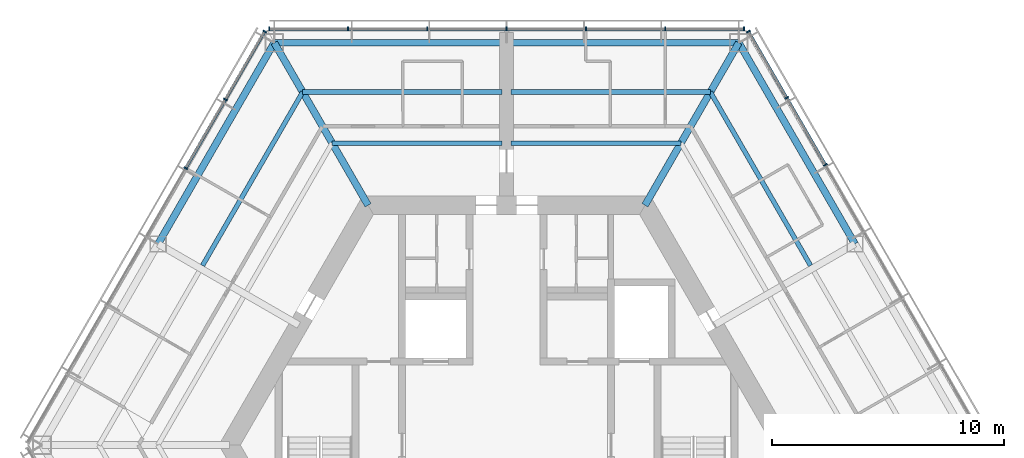
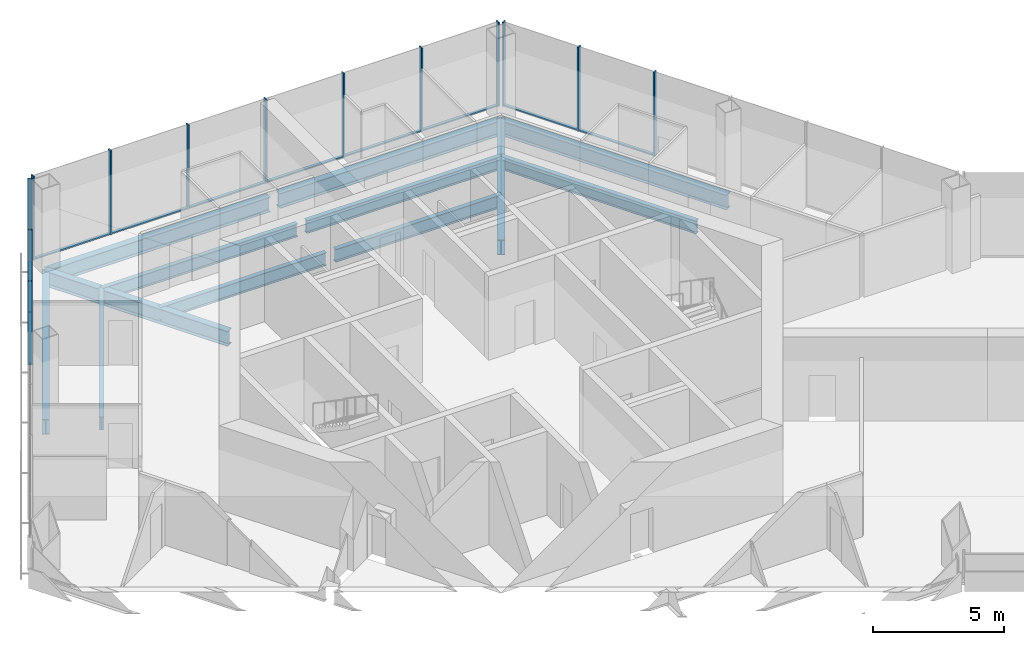
# One storey, part 5 of 13: 23 members, 12 beams, 3 elements without a shape of their own.
"""IFC4 building model written with IfcOpenShell, lengths in metres."""

import ifcopenshell
import ifcopenshell.guid

model = None  # the IFC model being written
_history = None  # IfcOwnerHistory: only IFC2X3 demands one
_inside = {}  # id of a spatial element -> (the spatial element, [elements in it])
_under = {}  # id of a project, library or spatial element -> (it, [spatial elements below it])
_declared = {}  # id of a project -> (the project, [libraries it declares])
_typed = {}  # id of a type object -> (the type object, [elements of that type])
_made_of = {}  # id of a material, layer set ... -> (it, [elements and type objects made of it])


def new_model(schema):
    """Start an empty IFC model of exactly this schema.

    Asked for "IFC4X3", IfcOpenShell would pick the latest addendum, in which some entities
    have other attributes; the version numbers below select the first issue.
    IFC2X3 requires an IfcOwnerHistory on every rooted entity: one is made here for all.
    """
    global model, _history
    if schema == "IFC4X3":
        model = ifcopenshell.file(schema_version=(4, 3, 0, 0))
    else:
        model = ifcopenshell.file(schema=schema)
    _inside.clear()
    _under.clear()
    _declared.clear()
    _typed.clear()
    _made_of.clear()
    _history = None
    if model.schema == "IFC2X3":
        org = make("IfcOrganization", Name="unknown")
        user = make(
            "IfcPersonAndOrganization",
            ThePerson=make("IfcPerson", FamilyName="unknown"),
            TheOrganization=org,
        )
        app = make(
            "IfcApplication",
            ApplicationDeveloper=org,
            Version="unknown",
            ApplicationFullName="unknown",
            ApplicationIdentifier="unknown",
        )
        _history = make(
            "IfcOwnerHistory",
            OwningUser=user,
            OwningApplication=app,
            ChangeAction="ADDED",
            CreationDate=0,
        )
    return model


def make(cls, **values):
    """One entity of the class cls with the attributes given. An attribute that is None is left unset."""
    return model.create_entity(
        cls, **{name: value for name, value in values.items() if value is not None}
    )


def rooted(cls, **values):
    """An entity with a GlobalId (a new one), such as an element, a storey or a relation."""
    return make(cls, GlobalId=ifcopenshell.guid.new(), OwnerHistory=_history, **values)


def si_unit(unit_type, name, prefix=None):
    """IfcSIUnit, for example si_unit("LENGTHUNIT", "METRE", prefix="MILLI")."""
    return make("IfcSIUnit", UnitType=unit_type, Prefix=prefix, Name=name)


def assignment(units):
    """IfcUnitAssignment: the units of a project."""
    return None if units is None else make("IfcUnitAssignment", Units=units)


def point(xyz):
    """IfcCartesianPoint."""
    return None if xyz is None else make("IfcCartesianPoint", Coordinates=xyz)


def direction(xyz):
    """IfcDirection."""
    return None if xyz is None else make("IfcDirection", DirectionRatios=xyz)


def frame(location, z_axis=None, x_axis=None):
    """IfcAxis2Placement3D, a coordinate frame: its origin and axes. An axis left out is left unset."""
    return make(
        "IfcAxis2Placement3D",
        Location=point(location),
        Axis=direction(z_axis),
        RefDirection=direction(x_axis),
    )


def frame_2d(location, x_axis=None):
    """IfcAxis2Placement2D, a coordinate frame in the plane: its origin and x axis."""
    return make(
        "IfcAxis2Placement2D", Location=point(location), RefDirection=direction(x_axis)
    )


def origin():
    """The frame at (0, 0, 0) with its axes left unset."""
    return frame((0.0, 0.0, 0.0))


def origin_2d():
    """The frame at (0, 0) in the plane with its x axis left unset."""
    return frame_2d((0.0, 0.0))


def place(relative_to, where):
    """IfcLocalPlacement: puts the frame where relative to a parent placement (None: the world)."""
    return make(
        "IfcLocalPlacement", PlacementRelTo=relative_to, RelativePlacement=where
    )


def context(
    kind, dimensions, precision=None, world=None, true_north=None, identifier=None
):
    """IfcGeometricRepresentationContext, for example the 3D "Model" context."""
    return make(
        "IfcGeometricRepresentationContext",
        ContextIdentifier=identifier,
        ContextType=kind,
        CoordinateSpaceDimension=dimensions,
        Precision=precision,
        WorldCoordinateSystem=world,
        TrueNorth=true_north,
    )


def subcontext(parent, identifier, kind, view, scale=None):
    """IfcGeometricRepresentationSubContext, for example "Body" below "Model"."""
    return make(
        "IfcGeometricRepresentationSubContext",
        ContextIdentifier=identifier,
        ContextType=kind,
        ParentContext=parent,
        TargetScale=scale,
        TargetView=view,
    )


def project(units=None, contexts=None):
    """IfcProject with its units and contexts."""
    return rooted(
        "IfcProject",
        Name="project",
        RepresentationContexts=contexts,
        UnitsInContext=assignment(units),
    )


def spatial(cls, under=None, at=None, **own):
    """A site, building, storey or space (cls), placed at a placement, below another one or the project."""
    s = rooted(cls, ObjectPlacement=at, **own)
    if under is not None:
        _under.setdefault(under.id(), (under, []))[1].append(s)
    return s


def profile(cls, at=None, kind="AREA", **sizes):
    """A parametric profile (cls). Its sizes go by their IFC names, for example OverallWidth=200.0."""
    return make(cls, ProfileType=kind, Position=at, **sizes)


def rectangle(**sizes):
    """IfcRectangleProfileDef."""
    return profile("IfcRectangleProfileDef", **sizes)


def i_section(**sizes):
    """IfcIShapeProfileDef."""
    return profile("IfcIShapeProfileDef", **sizes)


def extrude(swept, where, along, depth):
    """IfcExtrudedAreaSolid: the profile swept, set in the frame where, extruded along a direction by depth."""
    return make(
        "IfcExtrudedAreaSolid",
        SweptArea=swept,
        Position=where,
        ExtrudedDirection=direction(along),
        Depth=depth,
    )


def shape(context_of_items, identifier, shape_type, items):
    """IfcShapeRepresentation: the items that make up one representation, for example the "Body"."""
    return make(
        "IfcShapeRepresentation",
        ContextOfItems=context_of_items,
        RepresentationIdentifier=identifier,
        RepresentationType=shape_type,
        Items=items,
    )


def material(Name=None, Category=None):
    """IfcMaterial."""
    return make("IfcMaterial", Name=Name, Category=Category)


def material_profile(
    of_material, cross_section, Name=None, Category=None, Priority=None
):
    """IfcMaterialProfile: a cross section and its material."""
    return make(
        "IfcMaterialProfile",
        Name=Name,
        Material=of_material,
        Profile=cross_section,
        Priority=Priority,
        Category=Category,
    )


def profile_set(profiles, Name=None, composite=None):
    """IfcMaterialProfileSet."""
    return make(
        "IfcMaterialProfileSet",
        Name=Name,
        MaterialProfiles=profiles,
        CompositeProfile=composite,
    )


def made_of(thing, what):
    """Note that an element or type object is made of a material, layer set ...; save() writes the relation."""
    if what is not None:
        _made_of.setdefault(what.id(), (what, []))[1].append(thing)
    return thing


def type_object(cls, material=None, **own):
    """A type object (cls), such as IfcWallType, which elements share."""
    return made_of(rooted(cls, **own), material)


def element(
    cls,
    number,
    at=None,
    inside=None,
    cuts=None,
    type_object=None,
    material=None,
    context=None,
    identifier="Body",
    shape_type=None,
    held_by="IfcProductDefinitionShape",
    body=None,
    shapes=None,
    **own,
):
    """One element of the class cls, such as IfcWall. Its Tag is "e" and its number.

    at: its placement. inside: the storey or other place that contains it. cuts: it is an
    opening in that element (IfcRelVoidsElement). A single representation is given by context,
    identifier, shape_type and body (its items); several are given by shapes. held_by: the class
    of the entity that holds the representations. save() writes the other relations.
    """
    e = rooted(cls, Tag="e%d" % number, ObjectPlacement=at, **own)
    if body is not None:
        shapes = [shape(context, identifier, shape_type, body)]
    if shapes is not None:
        e.Representation = make(held_by, Representations=shapes)
    if inside is not None:
        _inside.setdefault(inside.id(), (inside, []))[1].append(e)
    if cuts is not None:
        rooted(
            "IfcRelVoidsElement", RelatingBuildingElement=cuts, RelatedOpeningElement=e
        )
    if type_object is not None:
        _typed.setdefault(type_object.id(), (type_object, []))[1].append(e)
    return made_of(e, material)


def aggregate(whole, parts):
    """IfcRelAggregates: a whole, such as a stair, and the parts it consists of."""
    return rooted("IfcRelAggregates", RelatingObject=whole, RelatedObjects=parts)


def save(model, path):
    """Write the relations noted so far, then the file.

    IfcRelAggregates (storeys below a building ...), IfcRelContainedInSpatialStructure (elements
    in a storey), IfcRelDefinesByType, IfcRelAssociatesMaterial and IfcRelDeclares: one each for
    every whole, place, type object, material and project.
    """
    for whole, parts in _under.values():
        aggregate(whole, parts)
    for where, things in _inside.values():
        rooted(
            "IfcRelContainedInSpatialStructure",
            RelatedElements=things,
            RelatingStructure=where,
        )
    for kind, things in _typed.values():
        rooted("IfcRelDefinesByType", RelatedObjects=things, RelatingType=kind)
    for what, things in _made_of.values():
        rooted("IfcRelAssociatesMaterial", RelatedObjects=things, RelatingMaterial=what)
    for by, libraries in _declared.values():
        rooted("IfcRelDeclares", RelatingContext=by, RelatedDefinitions=libraries)
    model.write(path)


model = new_model("IFC4")

# Units and contexts
model_context = context("Model", 3, precision=1e-05, world=origin(), true_north=direction((0.0, 1.0)))
body_context = subcontext(model_context, "Body", "Model", "MODEL_VIEW")
ifc_project = project(units=[si_unit("LENGTHUNIT", "METRE"), si_unit("AREAUNIT", "SQUARE_METRE"), si_unit("VOLUMEUNIT", "CUBIC_METRE"), si_unit("PLANEANGLEUNIT", "RADIAN"), si_unit("MASSUNIT", "GRAM", prefix="KILO")], contexts=[model_context])

# Site, building, storey
site_placement = place(None, origin())
site = spatial("IfcSite", under=ifc_project, at=site_placement, CompositionType="ELEMENT")
building_placement = place(site_placement, origin())
building = spatial("IfcBuilding", under=site, at=building_placement, Name="Kasaneha Research Tower", CompositionType="ELEMENT")
storey_placement = place(building_placement, frame((0.0, 0.0, 271.300048828125)))
storey = spatial("IfcBuildingStorey", under=building, at=storey_placement, Name="L68", CompositionType="ELEMENT", Elevation=271.300048828125)

# Beams
ifc_material_1 = material(Name="Steel SN490B", Category="steel")
ifc_material_profile_1 = material_profile(ifc_material_1, i_section(OverallWidth=0.199951171875, OverallDepth=0.60009765625, WebThickness=0.010986328125, FlangeThickness=0.01708984375, FilletRadius=0.012939453125, at=origin_2d()), Name="H-600x200x11x17")
ifc_profile_set_1 = profile_set([ifc_material_profile_1], Name="Steel SN490B")
beam_type_1 = type_object("IfcBeamType", Name="B1-3 secondary beam H-600x200x11x17", PredefinedType="JOIST", material=ifc_profile_set_1)
beam_1_placement = place(storey_placement, frame((8.775634765625, 15.199951171875, -0.449951171875), z_axis=(0.500017275495, -0.866015429543, 0.0), x_axis=(0.866015429543, 0.500017275495, 0.0)))
element("IfcBeam", 1, at=beam_1_placement, inside=storey, type_object=beam_type_1, Name="Secondary beam RS030R2 L68", PredefinedType="JOIST", context=body_context, shape_type="SweptSolid", body=[
    extrude(i_section(OverallWidth=0.199951171875, OverallDepth=0.60009765625, WebThickness=0.010986328125, FlangeThickness=0.01708984375, FilletRadius=0.012939453125, at=origin_2d()), origin(), (0.0, 0.0, 1.0), 8.625732421875),
])
beam_2_placement = place(storey_placement, frame((7.505615234375, 13.0, -0.449951171875), z_axis=(-1.0, 0.0, 0.0), x_axis=(0.0, -1.0, 0.0)))
element("IfcBeam", 2, at=beam_2_placement, inside=storey, type_object=beam_type_1, Name="Secondary beam RS090L1 L68", PredefinedType="JOIST", context=body_context, shape_type="SweptSolid", body=[
    extrude(i_section(OverallWidth=0.199951171875, OverallDepth=0.60009765625, WebThickness=0.010986328125, FlangeThickness=0.01708984375, FilletRadius=0.012939453125, at=origin_2d()), origin(), (0.0, 0.0, 1.0), 7.3056640625),
])
beam_3_placement = place(storey_placement, frame((8.775634765625, 15.199951171875, -0.449951171875), z_axis=(-1.0, 0.0, 0.0), x_axis=(0.0, -1.0, 0.0)))
element("IfcBeam", 3, at=beam_3_placement, inside=storey, type_object=beam_type_1, Name="Secondary beam RS090L2 L68", PredefinedType="JOIST", context=body_context, shape_type="SweptSolid", body=[
    extrude(i_section(OverallWidth=0.199951171875, OverallDepth=0.60009765625, WebThickness=0.010986328125, FlangeThickness=0.01708984375, FilletRadius=0.012939453125, at=origin_2d()), origin(), (0.0, 0.0, 1.0), 8.57568359375),
])
beam_4_placement = place(storey_placement, frame((-7.505615234375, 13.0, -0.449951171875), z_axis=(1.0, 0.0, 0.0), x_axis=(0.0, 1.0, 0.0)))
element("IfcBeam", 4, at=beam_4_placement, inside=storey, type_object=beam_type_1, Name="Secondary beam RS090R1 L68", PredefinedType="JOIST", context=body_context, shape_type="SweptSolid", body=[
    extrude(i_section(OverallWidth=0.199951171875, OverallDepth=0.60009765625, WebThickness=0.010986328125, FlangeThickness=0.01708984375, FilletRadius=0.012939453125, at=origin_2d()), origin(), (0.0, 0.0, 1.0), 7.3056640625),
])
beam_5_placement = place(storey_placement, frame((-8.775634765625, 15.199951171875, -0.449951171875), z_axis=(1.0, 0.0, 0.0), x_axis=(0.0, 1.0, 0.0)))
element("IfcBeam", 5, at=beam_5_placement, inside=storey, type_object=beam_type_1, Name="Secondary beam RS090R2 L68", PredefinedType="JOIST", context=body_context, shape_type="SweptSolid", body=[
    extrude(i_section(OverallWidth=0.199951171875, OverallDepth=0.60009765625, WebThickness=0.010986328125, FlangeThickness=0.01708984375, FilletRadius=0.012939453125, at=origin_2d()), origin(), (0.0, 0.0, 1.0), 8.57568359375),
])
beam_6_placement = place(storey_placement, frame((-8.775634765625, 15.199951171875, -0.449951171875), z_axis=(-0.500017275495, -0.866015429543, 0.0), x_axis=(0.866015429543, -0.500017275495, 0.0)))
element("IfcBeam", 6, at=beam_6_placement, inside=storey, type_object=beam_type_1, Name="Secondary beam RS150L2 L68", PredefinedType="JOIST", context=body_context, shape_type="SweptSolid", body=[
    extrude(i_section(OverallWidth=0.199951171875, OverallDepth=0.60009765625, WebThickness=0.010986328125, FlangeThickness=0.01708984375, FilletRadius=0.012939453125, at=origin_2d()), origin(), (0.0, 0.0, 1.0), 8.625732421875),
])

# Curtain wall, members
ifc_material_2 = material(Name="Glass and aluminium", Category="aluminium")
curtain_wall_type = type_object("IfcCurtainWallType", Name="Crown curtain wall", PredefinedType="USERDEFINED", material=ifc_material_2)
curtain_wall_1_placement = place(storey_placement, origin())
curtain_wall_1 = element("IfcCurtainWall", 7, at=curtain_wall_1_placement, inside=storey, type_object=curtain_wall_type, Name="CW-C L68 run 01a", ObjectType="UNITISED CURTAIN WALL", PredefinedType="USERDEFINED")
ifc_material_3 = material(Name="Aluminium 6063-T6", Category="aluminium")
ifc_material_profile_2 = material_profile(ifc_material_3, rectangle(XDim=0.06005859375, YDim=0.179931640625, at=origin_2d()), Name="CW-C mullion 60x180")
ifc_profile_set_2 = profile_set([ifc_material_profile_2], Name="Aluminium 6063-T6")
member_type_1 = type_object("IfcMemberType", Name="CW-C mullion", PredefinedType="MULLION", material=ifc_profile_set_2)
member_1_placement = place(storey_placement, frame((13.727294921875, 12.064453125, 0.0), z_axis=(0.0, 0.0, 1.0), x_axis=(-0.499999979232, 0.866025415775, 0.0)))
member_1 = element("IfcMember", 8, at=member_1_placement, type_object=member_type_1, Name="CW-C mullion 5", PredefinedType="MULLION", context=body_context, shape_type="SweptSolid", body=[
    extrude(rectangle(XDim=0.06005859375, YDim=0.179931640625, at=origin_2d()), origin(), (0.0, 0.0, 1.0), 3.89990234375),
])
member_2_placement = place(storey_placement, frame((12.061767578125, 14.94921875, 0.0), z_axis=(0.0, 0.0, 1.0), x_axis=(-0.499999979232, 0.866025415775, 0.0)))
member_2 = element("IfcMember", 9, at=member_2_placement, type_object=member_type_1, Name="CW-C mullion 6", PredefinedType="MULLION", context=body_context, shape_type="SweptSolid", body=[
    extrude(rectangle(XDim=0.06005859375, YDim=0.179931640625, at=origin_2d()), origin(), (0.0, 0.0, 1.0), 3.89990234375),
])
member_3_placement = place(storey_placement, frame((10.411376953125, 17.807861328125, 0.0), z_axis=(0.0, 0.0, 1.0), x_axis=(-0.499999979232, 0.866025415775, 0.0)))
member_3 = element("IfcMember", 10, at=member_3_placement, type_object=member_type_1, Name="CW-C mullion 7", PredefinedType="MULLION", context=body_context, shape_type="SweptSolid", body=[
    extrude(rectangle(XDim=0.06005859375, YDim=0.179931640625, at=origin_2d()), origin(), (0.0, 0.0, 1.0), 3.89990234375),
])

curtain_wall_2_placement = place(storey_placement, origin())
curtain_wall_2 = element("IfcCurtainWall", 11, at=curtain_wall_2_placement, inside=storey, type_object=curtain_wall_type, Name="CW-C L68 run 02a", ObjectType="UNITISED CURTAIN WALL", PredefinedType="USERDEFINED")
member_4_placement = place(storey_placement, frame((10.21630859375, 17.92041015625, 0.0), z_axis=(0.0, 0.0, 1.0), x_axis=(-1.0, 0.0, 0.0)))
member_4 = element("IfcMember", 12, at=member_4_placement, type_object=member_type_1, Name="CW-C mullion 1", PredefinedType="MULLION", context=body_context, shape_type="SweptSolid", body=[
    extrude(rectangle(XDim=0.06005859375, YDim=0.179931640625, at=origin_2d()), origin(), (0.0, 0.0, 1.0), 3.89990234375),
])
member_5_placement = place(storey_placement, frame((6.8310546875, 17.92041015625, 0.0), z_axis=(0.0, 0.0, 1.0), x_axis=(-1.0, 0.0, 0.0)))
member_5 = element("IfcMember", 13, at=member_5_placement, type_object=member_type_1, Name="CW-C mullion 2", PredefinedType="MULLION", context=body_context, shape_type="SweptSolid", body=[
    extrude(rectangle(XDim=0.06005859375, YDim=0.179931640625, at=origin_2d()), origin(), (0.0, 0.0, 1.0), 3.89990234375),
])
member_6_placement = place(storey_placement, frame((3.41552734375, 17.92041015625, 0.0), z_axis=(0.0, 0.0, 1.0), x_axis=(-1.0, 0.0, 0.0)))
member_6 = element("IfcMember", 14, at=member_6_placement, type_object=member_type_1, Name="CW-C mullion 3", PredefinedType="MULLION", context=body_context, shape_type="SweptSolid", body=[
    extrude(rectangle(XDim=0.06005859375, YDim=0.179931640625, at=origin_2d()), origin(), (0.0, 0.0, 1.0), 3.89990234375),
])
member_7_placement = place(storey_placement, frame((0.0, 17.92041015625, 0.0), z_axis=(0.0, 0.0, 1.0), x_axis=(-1.0, 0.0, 0.0)))
member_7 = element("IfcMember", 15, at=member_7_placement, type_object=member_type_1, Name="CW-C mullion 4", PredefinedType="MULLION", context=body_context, shape_type="SweptSolid", body=[
    extrude(rectangle(XDim=0.06005859375, YDim=0.179931640625, at=origin_2d()), origin(), (0.0, 0.0, 1.0), 3.89990234375),
])
member_8_placement = place(storey_placement, frame((-3.41552734375, 17.92041015625, 0.0), z_axis=(0.0, 0.0, 1.0), x_axis=(-1.0, 0.0, 0.0)))
member_8 = element("IfcMember", 16, at=member_8_placement, type_object=member_type_1, Name="CW-C mullion 5", PredefinedType="MULLION", context=body_context, shape_type="SweptSolid", body=[
    extrude(rectangle(XDim=0.06005859375, YDim=0.179931640625, at=origin_2d()), origin(), (0.0, 0.0, 1.0), 3.89990234375),
])
member_9_placement = place(storey_placement, frame((-6.8310546875, 17.92041015625, 0.0), z_axis=(0.0, 0.0, 1.0), x_axis=(-1.0, 0.0, 0.0)))
member_9 = element("IfcMember", 17, at=member_9_placement, type_object=member_type_1, Name="CW-C mullion 6", PredefinedType="MULLION", context=body_context, shape_type="SweptSolid", body=[
    extrude(rectangle(XDim=0.06005859375, YDim=0.179931640625, at=origin_2d()), origin(), (0.0, 0.0, 1.0), 3.89990234375),
])
member_10_placement = place(storey_placement, frame((-10.21630859375, 17.92041015625, 0.0), z_axis=(0.0, 0.0, 1.0), x_axis=(-1.0, 0.0, 0.0)))
member_10 = element("IfcMember", 18, at=member_10_placement, type_object=member_type_1, Name="CW-C mullion 7", PredefinedType="MULLION", context=body_context, shape_type="SweptSolid", body=[
    extrude(rectangle(XDim=0.06005859375, YDim=0.179931640625, at=origin_2d()), origin(), (0.0, 0.0, 1.0), 3.89990234375),
])

curtain_wall_3_placement = place(storey_placement, origin())
curtain_wall_3 = element("IfcCurtainWall", 19, at=curtain_wall_3_placement, inside=storey, type_object=curtain_wall_type, Name="CW-C L68 run 03a", ObjectType="UNITISED CURTAIN WALL", PredefinedType="USERDEFINED")
member_11_placement = place(storey_placement, frame((-10.411376953125, 17.807861328125, 0.0), z_axis=(0.0, 0.0, 1.0), x_axis=(-0.499999995722, -0.866025406254, 0.0)))
member_11 = element("IfcMember", 20, at=member_11_placement, type_object=member_type_1, Name="CW-C mullion 1", PredefinedType="MULLION", context=body_context, shape_type="SweptSolid", body=[
    extrude(rectangle(XDim=0.06005859375, YDim=0.179931640625, at=origin_2d()), origin(), (0.0, 0.0, 1.0), 3.89990234375),
])
member_12_placement = place(storey_placement, frame((-12.104248046875, 14.8759765625, 0.0), z_axis=(0.0, 0.0, 1.0), x_axis=(-0.499999995722, -0.866025406254, 0.0)))
member_12 = element("IfcMember", 21, at=member_12_placement, type_object=member_type_1, Name="CW-C mullion 2", PredefinedType="MULLION", context=body_context, shape_type="SweptSolid", body=[
    extrude(rectangle(XDim=0.06005859375, YDim=0.179931640625, at=origin_2d()), origin(), (0.0, 0.0, 1.0), 3.89990234375),
])
member_13_placement = place(storey_placement, frame((-13.811767578125, 11.918212890625, 0.0), z_axis=(0.0, 0.0, 1.0), x_axis=(-0.499999995722, -0.866025406254, 0.0)))
member_13 = element("IfcMember", 22, at=member_13_placement, type_object=member_type_1, Name="CW-C mullion 3", PredefinedType="MULLION", context=body_context, shape_type="SweptSolid", body=[
    extrude(rectangle(XDim=0.06005859375, YDim=0.179931640625, at=origin_2d()), origin(), (0.0, 0.0, 1.0), 3.89990234375),
])

# Member
ifc_material_4 = material(Name="Aluminium 6063-T6", Category="aluminium")
ifc_material_profile_3 = material_profile(ifc_material_4, rectangle(XDim=0.1298828125, YDim=0.06005859375, at=origin_2d()), Name="CW-C transom 130x60")
ifc_profile_set_3 = profile_set([ifc_material_profile_3], Name="Aluminium 6063-T6")
member_type_2 = type_object("IfcMemberType", Name="CW-C transom", PredefinedType="USERDEFINED", material=ifc_profile_set_3)
member_14_placement = place(storey_placement, frame((13.71240234375, 12.090576171875, 0.030029296875), z_axis=(-0.500000270186, 0.866025247793, 0.0), x_axis=(-0.866025247793, -0.500000270186, 0.0)))
member_14 = element("IfcMember", 23, at=member_14_placement, type_object=member_type_2, Name="CW-C transom 5", ObjectType="TRANSOM", PredefinedType="USERDEFINED", context=body_context, shape_type="SweptSolid", body=[
    extrude(rectangle(XDim=0.1298828125, YDim=0.06005859375, at=origin_2d()), origin(), (0.0, 0.0, 1.0), 3.27099609375),
])

member_15_placement = place(storey_placement, frame((12.046875, 14.97509765625, 0.030029296875), z_axis=(-0.499955025697, 0.866051368154, 0.0), x_axis=(-0.866051368154, -0.499955025697, 0.0)))
member_15 = element("IfcMember", 24, at=member_15_placement, type_object=member_type_2, Name="CW-C transom 6", ObjectType="TRANSOM", PredefinedType="USERDEFINED", context=body_context, shape_type="SweptSolid", body=[
    extrude(rectangle(XDim=0.1298828125, YDim=0.06005859375, at=origin_2d()), origin(), (0.0, 0.0, 1.0), 3.240966796875),
])

aggregate(curtain_wall_1, [member_1, member_2, member_3, member_14, member_15])

member_16_placement = place(storey_placement, frame((10.1865234375, 17.92041015625, 0.030029296875), z_axis=(-1.0, 0.0, 0.0), x_axis=(0.0, -1.0, 0.0)))
member_16 = element("IfcMember", 25, at=member_16_placement, type_object=member_type_2, Name="CW-C transom 1", ObjectType="TRANSOM", PredefinedType="USERDEFINED", context=body_context, shape_type="SweptSolid", body=[
    extrude(rectangle(XDim=0.1298828125, YDim=0.06005859375, at=origin_2d()), origin(), (0.0, 0.0, 1.0), 3.32568359375),
])

member_17_placement = place(storey_placement, frame((6.801025390625, 17.92041015625, 0.030029296875), z_axis=(-1.0, 0.0, 0.0), x_axis=(0.0, -1.0, 0.0)))
member_17 = element("IfcMember", 26, at=member_17_placement, type_object=member_type_2, Name="CW-C transom 2", ObjectType="TRANSOM", PredefinedType="USERDEFINED", context=body_context, shape_type="SweptSolid", body=[
    extrude(rectangle(XDim=0.1298828125, YDim=0.06005859375, at=origin_2d()), origin(), (0.0, 0.0, 1.0), 3.35546875),
])

member_18_placement = place(storey_placement, frame((3.385498046875, 17.92041015625, 0.030029296875), z_axis=(-1.0, 0.0, 0.0), x_axis=(0.0, -1.0, 0.0)))
member_18 = element("IfcMember", 27, at=member_18_placement, type_object=member_type_2, Name="CW-C transom 3", ObjectType="TRANSOM", PredefinedType="USERDEFINED", context=body_context, shape_type="SweptSolid", body=[
    extrude(rectangle(XDim=0.1298828125, YDim=0.06005859375, at=origin_2d()), origin(), (0.0, 0.0, 1.0), 3.35546875),
])

member_19_placement = place(storey_placement, frame((-0.030029296875, 17.92041015625, 0.030029296875), z_axis=(-1.0, 0.0, 0.0), x_axis=(0.0, -1.0, 0.0)))
member_19 = element("IfcMember", 28, at=member_19_placement, type_object=member_type_2, Name="CW-C transom 4", ObjectType="TRANSOM", PredefinedType="USERDEFINED", context=body_context, shape_type="SweptSolid", body=[
    extrude(rectangle(XDim=0.1298828125, YDim=0.06005859375, at=origin_2d()), origin(), (0.0, 0.0, 1.0), 3.35546875),
])

member_20_placement = place(storey_placement, frame((-3.445556640625, 17.92041015625, 0.030029296875), z_axis=(-1.0, 0.0, 0.0), x_axis=(0.0, -1.0, 0.0)))
member_20 = element("IfcMember", 29, at=member_20_placement, type_object=member_type_2, Name="CW-C transom 5", ObjectType="TRANSOM", PredefinedType="USERDEFINED", context=body_context, shape_type="SweptSolid", body=[
    extrude(rectangle(XDim=0.1298828125, YDim=0.06005859375, at=origin_2d()), origin(), (0.0, 0.0, 1.0), 3.35546875),
])

member_21_placement = place(storey_placement, frame((-6.86083984375, 17.92041015625, 0.030029296875), z_axis=(-1.0, 0.0, 0.0), x_axis=(0.0, -1.0, 0.0)))
member_21 = element("IfcMember", 30, at=member_21_placement, type_object=member_type_2, Name="CW-C transom 6", ObjectType="TRANSOM", PredefinedType="USERDEFINED", context=body_context, shape_type="SweptSolid", body=[
    extrude(rectangle(XDim=0.1298828125, YDim=0.06005859375, at=origin_2d()), origin(), (0.0, 0.0, 1.0), 3.32568359375),
])

aggregate(curtain_wall_2, [member_4, member_5, member_6, member_7, member_8, member_9, member_10, member_16, member_17, member_18, member_19, member_20, member_21])

member_22_placement = place(storey_placement, frame((-10.426513671875, 17.781982421875, 0.030029296875), z_axis=(-0.49997666526, -0.866038875684, 0.0), x_axis=(0.866038875684, -0.49997666526, 0.0)))
member_22 = element("IfcMember", 31, at=member_22_placement, type_object=member_type_2, Name="CW-C transom 1", ObjectType="TRANSOM", PredefinedType="USERDEFINED", context=body_context, shape_type="SweptSolid", body=[
    extrude(rectangle(XDim=0.1298828125, YDim=0.06005859375, at=origin_2d()), origin(), (0.0, 0.0, 1.0), 3.325439453125),
])

member_23_placement = place(storey_placement, frame((-12.119140625, 14.85009765625, 0.030029296875), z_axis=(-0.499989072476, -0.866031712701, 0.0), x_axis=(0.866031712701, -0.499989072476, 0.0)))
member_23 = element("IfcMember", 32, at=member_23_placement, type_object=member_type_2, Name="CW-C transom 2", ObjectType="TRANSOM", PredefinedType="USERDEFINED", context=body_context, shape_type="SweptSolid", body=[
    extrude(rectangle(XDim=0.1298828125, YDim=0.06005859375, at=origin_2d()), origin(), (0.0, 0.0, 1.0), 3.35546875),
])

aggregate(curtain_wall_3, [member_11, member_12, member_13, member_22, member_23])

# Beams
ifc_material_5 = material(Name="Steel SN490B", Category="steel")
ifc_material_profile_4 = material_profile(ifc_material_5, i_section(OverallWidth=0.300048828125, OverallDepth=0.699951171875, WebThickness=0.012939453125, FlangeThickness=0.02392578125, FilletRadius=0.01806640625, at=origin_2d()), Name="H-700x300x13x24")
ifc_profile_set_4 = profile_set([ifc_material_profile_4], Name="Steel SN490B")
beam_type_2 = type_object("IfcBeamType", Name="G1-3 radial girder H-700x300x13x24", PredefinedType="BEAM", material=ifc_profile_set_4)
for number, where, z_axis, x_axis, name in (
    (33, (5.961181640625, 10.324951171875, -0.5), (0.49999105496, 0.866030568144, 0.0), (-0.866030568144, 0.49999105496, 0.0), "Radial girder RV060 L68"),
    (34, (-5.961181640625, 10.324951171875, -0.5), (-0.49999105496, 0.866030568144, 0.0), (-0.866030568144, -0.49999105496, 0.0), "Radial girder RV120 L68"),
):
    element("IfcBeam", number, at=place(storey_placement, frame(where, z_axis=z_axis, x_axis=x_axis)), inside=storey, type_object=beam_type_2, Name=name, PredefinedType="BEAM", context=body_context, shape_type="SweptSolid", body=[
        extrude(i_section(OverallWidth=0.300048828125, OverallDepth=0.699951171875, WebThickness=0.012939453125, FlangeThickness=0.02392578125, FilletRadius=0.01806640625, at=origin_2d()), origin(), (0.0, 0.0, 1.0), 8.077880859375),
    ])
ifc_material_6 = material(Name="Steel SN490B", Category="steel")
ifc_material_profile_5 = material_profile(ifc_material_6, i_section(OverallWidth=0.300048828125, OverallDepth=0.69189453125, WebThickness=0.012939453125, FlangeThickness=0.02001953125, FilletRadius=0.01806640625, at=origin_2d()), Name="H-692x300x13x20")
ifc_profile_set_5 = profile_set([ifc_material_profile_5], Name="Steel SN490B")
beam_type_3 = type_object("IfcBeamType", Name="G3-3 plate edge girder H-692x300x13x20", PredefinedType="BEAM", material=ifc_profile_set_5)
for number, where, z_axis, x_axis, name in (
    (35, (10.0, 17.320556640625, -0.49609375), (-1.0, 0.0, 0.0), (0.0, -1.0, 0.0), "Plate edge girder PEAP L68"),
    (36, (-10.0, 17.320556640625, -0.49609375), (1.0, 0.0, 0.0), (0.0, 1.0, 0.0), "Plate edge girder PEAN L68"),
):
    element("IfcBeam", number, at=place(storey_placement, frame(where, z_axis=z_axis, x_axis=x_axis)), inside=storey, type_object=beam_type_3, Name=name, PredefinedType="BEAM", context=body_context, shape_type="SweptSolid", body=[
        extrude(i_section(OverallWidth=0.300048828125, OverallDepth=0.69189453125, WebThickness=0.012939453125, FlangeThickness=0.02001953125, FilletRadius=0.01806640625, at=origin_2d()), origin(), (0.0, 0.0, 1.0), 9.800048828125),
    ])
ifc_material_7 = material(Name="Steel SN490B", Category="steel")
ifc_material_profile_6 = material_profile(ifc_material_7, i_section(OverallWidth=0.300048828125, OverallDepth=0.69189453125, WebThickness=0.012939453125, FlangeThickness=0.02001953125, FilletRadius=0.01806640625, at=origin_2d()), Name="H-692x300x13x20")
ifc_profile_set_6 = profile_set([ifc_material_profile_6], Name="Steel SN490B")
beam_type_4 = type_object("IfcBeamType", Name="SB1-3 spandrel beam H-692x300x13x20", PredefinedType="SPANDREL", material=ifc_profile_set_6)
for number, where, z_axis, x_axis, name in (
    (37, (10.0, 17.320556640625, -0.49609375), (0.499993662806, -0.866029062534, 0.0), (0.866029062534, 0.499993662806, 0.0), "Spandrel beam SR030R L68"),
    (38, (-10.0, 17.320556640625, -0.49609375), (-0.499993662806, -0.866029062534, 0.0), (0.866029062534, -0.499993662806, 0.0), "Spandrel beam SR150L L68"),
):
    element("IfcBeam", number, at=place(storey_placement, frame(where, z_axis=z_axis, x_axis=x_axis)), inside=storey, type_object=beam_type_4, Name=name, PredefinedType="SPANDREL", context=body_context, shape_type="SweptSolid", body=[
        extrude(i_section(OverallWidth=0.300048828125, OverallDepth=0.69189453125, WebThickness=0.012939453125, FlangeThickness=0.02001953125, FilletRadius=0.01806640625, at=origin_2d()), origin(), (0.0, 0.0, 1.0), 10.000244140625),
    ])

save(model, "model.ifc")
